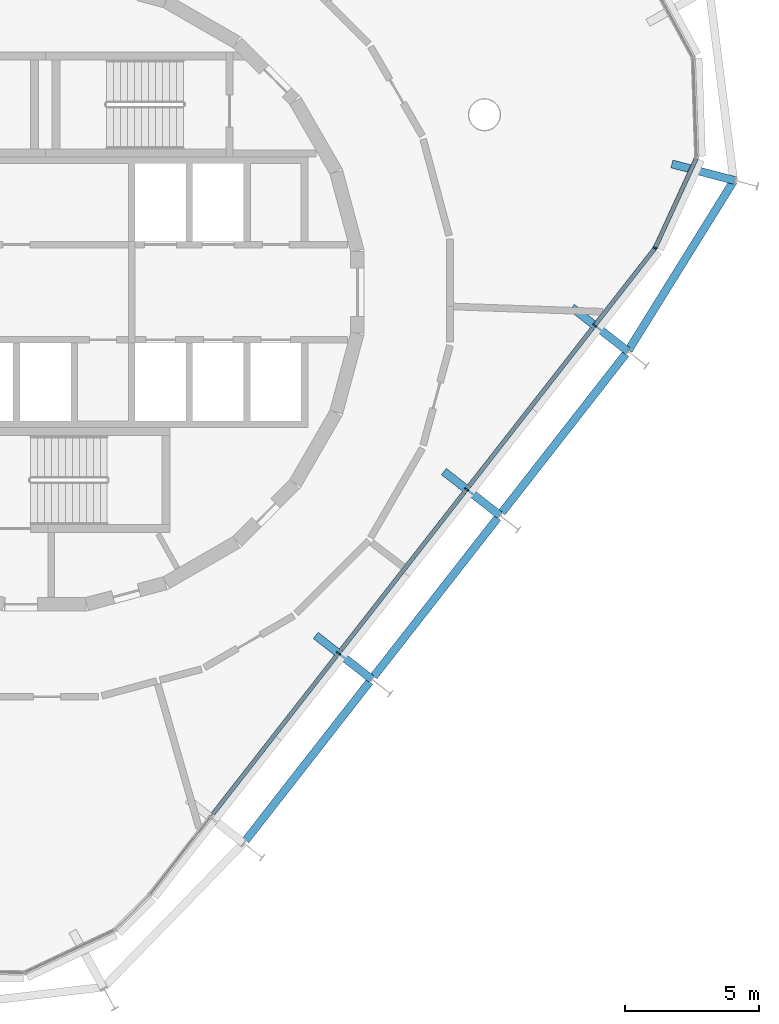
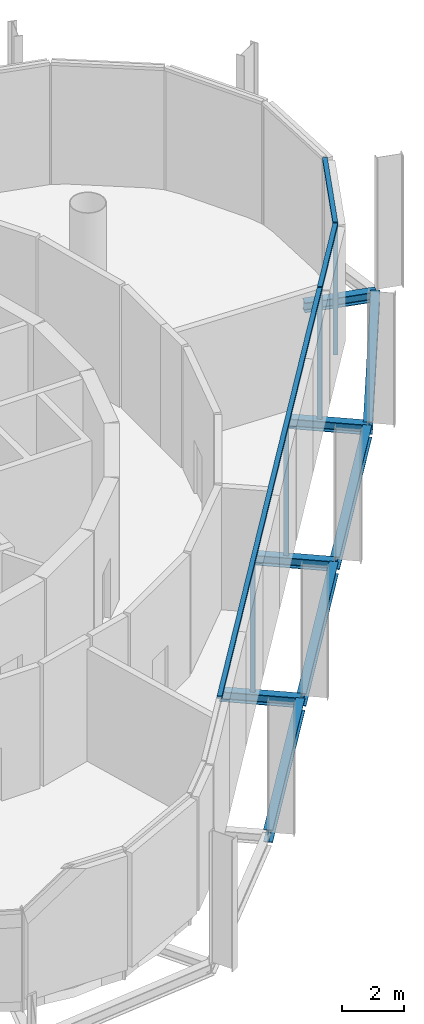
# One storey, part 4 of 12: 8 beams, 7 members, 2 elements without a shape of their own.
"""IFC4 building model written with IfcOpenShell, lengths in metres."""

from ifc_helpers import new_model, si_unit, direction, frame, origin, origin_2d, place, context, subcontext, project, spatial, rectangle, i_section, extrude, material, layer, layer_set, material_profile, profile_set, type_object, element, aggregate, save


model = new_model("IFC4")

# Units and contexts
model_context = context("Model", 3, precision=1e-05, world=origin(), true_north=direction((0.0, 1.0)))
body_context = subcontext(model_context, "Body", "Model", "MODEL_VIEW")
ifc_project = project(units=[si_unit("LENGTHUNIT", "METRE"), si_unit("AREAUNIT", "SQUARE_METRE"), si_unit("VOLUMEUNIT", "CUBIC_METRE"), si_unit("PLANEANGLEUNIT", "RADIAN"), si_unit("MASSUNIT", "GRAM", prefix="KILO")], contexts=[model_context])

# Site, building, storey
site_placement = place(None, origin())
site = spatial("IfcSite", under=ifc_project, at=site_placement, CompositionType="ELEMENT")
building_placement = place(site_placement, origin())
building = spatial("IfcBuilding", under=site, at=building_placement, Name="Spindle Arch Residences", CompositionType="ELEMENT")
storey_placement = place(building_placement, frame((0.0, 0.0, 361.0)))
storey = spatial("IfcBuildingStorey", under=building, at=storey_placement, Name="L93", CompositionType="ELEMENT", Elevation=361.0)

# Curtain wall, members
ifc_material_1 = material(Name="Aluminium bronze unitised frame with tinted glass", Category="aluminium")
ifc_layer = layer(ifc_material_1, 0.159912109375)
ifc_layer_set = layer_set([ifc_layer], Name="CW-F crown plant glazed wall")
curtain_wall_type = type_object("IfcCurtainWallType", Name="CW-F crown plant glazed wall", PredefinedType="NOTDEFINED", material=ifc_layer_set)
curtain_wall_1_placement = place(storey_placement, origin())
curtain_wall_1 = element("IfcCurtainWall", 1, at=curtain_wall_1_placement, inside=storey, type_object=curtain_wall_type, Name="CW-F L93 run 1", PredefinedType="NOTDEFINED")
ifc_material_2 = material(Name="Aluminium bronze anodised mullion", Category="aluminium")
ifc_material_profile_1 = material_profile(ifc_material_2, rectangle(XDim=0.159912109375, YDim=0.06005859375, at=origin_2d()), Name="MU 60x160")
ifc_profile_set_1 = profile_set([ifc_material_profile_1], Name="Aluminium bronze anodised mullion")
member_type_1 = type_object("IfcMemberType", Name="Bronze mullion 60x160", PredefinedType="MULLION", material=ifc_profile_set_1)
member_1_placement = place(storey_placement, frame((20.50341796875, -1.237060546875, -0.3798828125), z_axis=(0.0, 0.0, 1.0), x_axis=(-0.788010753607, 0.615661475326, 0.0)))
member_1 = element("IfcMember", 2, at=member_1_placement, type_object=member_type_1, Name="CW-F mullion 00", PredefinedType="MULLION", context=body_context, shape_type="SweptSolid", body=[
    extrude(rectangle(XDim=0.159912109375, YDim=0.06005859375, at=origin_2d()), origin(), (0.0, 0.0, 1.0), 5.079833984375),
])
member_2_placement = place(storey_placement, frame((22.7568359375, 1.647216796875, -0.3798828125), z_axis=(0.0, 0.0, 1.0), x_axis=(-0.908751129947, 0.417338452362, 0.0)))
member_2 = element("IfcMember", 3, at=member_2_placement, type_object=member_type_1, Name="CW-F mullion 01", PredefinedType="MULLION", context=body_context, shape_type="SweptSolid", body=[
    extrude(rectangle(XDim=0.159912109375, YDim=0.06005859375, at=origin_2d()), origin(), (0.0, 0.0, 1.0), 5.079833984375),
])

curtain_wall_2_placement = place(storey_placement, origin())
curtain_wall_2 = element("IfcCurtainWall", 4, at=curtain_wall_2_placement, inside=storey, type_object=curtain_wall_type, Name="CW-F L93 run 6", PredefinedType="NOTDEFINED")
member_3_placement = place(storey_placement, frame((10.94140625, -13.4755859375, -0.3798828125), z_axis=(0.0, 0.0, 1.0), x_axis=(-0.788010753607, 0.615661475326, 0.0)))
member_3 = element("IfcMember", 5, at=member_3_placement, type_object=member_type_1, Name="CW-F mullion 19", PredefinedType="MULLION", context=body_context, shape_type="SweptSolid", body=[
    extrude(rectangle(XDim=0.159912109375, YDim=0.06005859375, at=origin_2d()), origin(), (0.0, 0.0, 1.0), 5.079833984375),
])
member_4_placement = place(storey_placement, frame((15.722412109375, -7.3564453125, -0.3798828125), z_axis=(0.0, 0.0, 1.0), x_axis=(-0.788010753607, 0.615661475326, 0.0)))
member_4 = element("IfcMember", 6, at=member_4_placement, type_object=member_type_1, Name="CW-F mullion 00", PredefinedType="MULLION", context=body_context, shape_type="SweptSolid", body=[
    extrude(rectangle(XDim=0.159912109375, YDim=0.06005859375, at=origin_2d()), origin(), (0.0, 0.0, 1.0), 5.079833984375),
])

# Member
ifc_material_3 = material(Name="Aluminium bronze anodised transom", Category="aluminium")
ifc_material_profile_2 = material_profile(ifc_material_3, rectangle(XDim=0.159912109375, YDim=0.1201171875, at=origin_2d()), Name="TR 120x160")
ifc_profile_set_2 = profile_set([ifc_material_profile_2], Name="Aluminium bronze anodised transom")
member_type_2 = type_object("IfcMemberType", Name="Bronze transom 120x160", PredefinedType="USERDEFINED", material=ifc_profile_set_2)
member_5_placement = place(storey_placement, frame((20.521728515625, -1.21337890625, 4.760009765625), z_axis=(0.615647989673, 0.788021289568, 0.0), x_axis=(-0.788021289568, 0.615647989673, 0.0)))
member_5 = element("IfcMember", 7, at=member_5_placement, type_object=member_type_2, Name="CW-F transom 00", ObjectType="TRANSOM", PredefinedType="USERDEFINED", context=body_context, shape_type="SweptSolid", body=[
    extrude(rectangle(XDim=0.159912109375, YDim=0.1201171875, at=origin_2d()), origin(), (0.0, 0.0, 1.0), 3.600341796875),
])

member_6_placement = place(storey_placement, frame((22.769287109375, 1.674560546875, 4.760009765625), z_axis=(0.417326323855, 0.908756699792, 0.0), x_axis=(-0.908756699792, 0.417326323855, 0.0)))
member_6 = element("IfcMember", 8, at=member_6_placement, type_object=member_type_2, Name="CW-F transom 01", ObjectType="TRANSOM", PredefinedType="USERDEFINED", context=body_context, shape_type="SweptSolid", body=[
    extrude(rectangle(XDim=0.159912109375, YDim=0.1201171875, at=origin_2d()), origin(), (0.0, 0.0, 1.0), 3.666748046875),
])

aggregate(curtain_wall_1, [member_1, member_5, member_2, member_6])

member_7_placement = place(storey_placement, frame((6.178955078125, -19.571533203125, 4.760009765625), z_axis=(0.615655051857, 0.788015772128, 0.0), x_axis=(-0.788015772128, 0.615655051857, 0.0)))
member_7 = element("IfcMember", 9, at=member_7_placement, type_object=member_type_2, Name="CW-F transom 00", ObjectType="TRANSOM", PredefinedType="USERDEFINED", context=body_context, shape_type="SweptSolid", body=[
    extrude(rectangle(XDim=0.159912109375, YDim=0.1201171875, at=origin_2d()), origin(), (0.0, 0.0, 1.0), 23.23681640625),
])

aggregate(curtain_wall_2, [member_7, member_3, member_4])

# Beams
ifc_material_4 = material(Name="Steel S460ML, intumescent coating R 120", Category="steel")
ifc_material_profile_3 = material_profile(ifc_material_4, i_section(OverallWidth=0.300048828125, OverallDepth=0.5, WebThickness=0.014404296875, FlangeThickness=0.028076171875, FilletRadius=0.027099609375, at=origin_2d()), Name="HEB 500")
ifc_profile_set_3 = profile_set([ifc_material_profile_3], Name="Steel S460ML, intumescent coating R 120")
beam_type_1 = type_object("IfcBeamType", Name="Exoskeleton edge beam HEB 500", PredefinedType="BEAM", material=ifc_profile_set_3)
beam_1_placement = place(storey_placement, frame((17.03955078125, -8.220458984375, -0.6298828125), z_axis=(0.615652879069, 0.788017469663, 0.0), x_axis=(-0.788017469663, 0.615652879069, 0.0)))
element("IfcBeam", 10, at=beam_1_placement, inside=storey, type_object=beam_type_1, Name="Exoskeleton edge beam 1", PredefinedType="BEAM", context=body_context, shape_type="SweptSolid", body=[
    extrude(i_section(OverallWidth=0.300048828125, OverallDepth=0.5, WebThickness=0.014404296875, FlangeThickness=0.028076171875, FilletRadius=0.027099609375, at=origin_2d()), origin(), (0.0, 0.0, 1.0), 7.505615234375),
])
beam_2_placement = place(storey_placement, frame((21.760498046875, -2.17041015625, -0.6298828125), z_axis=(0.527890607505, 0.849312372751, 0.0), x_axis=(-0.849312372751, 0.527890607505, 0.0)))
element("IfcBeam", 11, at=beam_2_placement, inside=storey, type_object=beam_type_1, Name="Exoskeleton edge beam 2", PredefinedType="BEAM", context=body_context, shape_type="SweptSolid", body=[
    extrude(i_section(OverallWidth=0.300048828125, OverallDepth=0.5, WebThickness=0.014404296875, FlangeThickness=0.028076171875, FilletRadius=0.027099609375, at=origin_2d()), origin(), (0.0, 0.0, 1.0), 7.437744140625),
])
for number, where, z_axis, x_axis, name in (
    (12, (7.4775390625, -20.459228515625, -0.6298828125), (0.615673077274, 0.788001689034, 0.0), (-0.788001689034, 0.615673077274, 0.0), "Exoskeleton edge beam 19"),
    (13, (12.258544921875, -14.33984375, -0.6298828125), (0.615673077274, 0.788001689034, 0.0), (-0.788001689034, 0.615673077274, 0.0), "Exoskeleton edge beam 20"),
):
    element("IfcBeam", number, at=place(storey_placement, frame(where, z_axis=z_axis, x_axis=x_axis)), inside=storey, type_object=beam_type_1, Name=name, PredefinedType="BEAM", context=body_context, shape_type="SweptSolid", body=[
        extrude(i_section(OverallWidth=0.300048828125, OverallDepth=0.5, WebThickness=0.014404296875, FlangeThickness=0.028076171875, FilletRadius=0.027099609375, at=origin_2d()), origin(), (0.0, 0.0, 1.0), 7.505859375),
    ])
ifc_material_5 = material(Name="Steel S460ML, intumescent coating R 120", Category="steel")
ifc_material_profile_4 = material_profile(ifc_material_5, i_section(OverallWidth=0.300048828125, OverallDepth=0.389892578125, WebThickness=0.010986328125, FlangeThickness=0.01904296875, FilletRadius=0.027099609375, at=origin_2d()), Name="HEA 400")
ifc_profile_set_4 = profile_set([ifc_material_profile_4], Name="Steel S460ML, intumescent coating R 120")
beam_type_2 = type_object("IfcBeamType", Name="Floor outrigger HEA 400", PredefinedType="BEAM", material=ifc_profile_set_4)
beam_3_placement = place(storey_placement, frame((16.959716796875, -8.322998046875, -0.574951171875), z_axis=(-0.788015993799, 0.615654768127, 0.0), x_axis=(-0.615654768127, -0.788015993799, 0.0)))
element("IfcBeam", 14, at=beam_3_placement, inside=storey, type_object=beam_type_2, Name="Floor outrigger 1", PredefinedType="BEAM", context=body_context, shape_type="SweptSolid", body=[
    extrude(i_section(OverallWidth=0.300048828125, OverallDepth=0.389892578125, WebThickness=0.010986328125, FlangeThickness=0.01904296875, FilletRadius=0.027099609375, at=origin_2d()), origin(), (0.0, 0.0, 1.0), 2.650146484375),
])
beam_4_placement = place(storey_placement, frame((21.740478515625, -2.20361328125, -0.574951171875), z_axis=(-0.787981072726, 0.615699463233, 0.0), x_axis=(-0.615699463233, -0.787981072726, 0.0)))
element("IfcBeam", 15, at=beam_4_placement, inside=storey, type_object=beam_type_2, Name="Floor outrigger 2", PredefinedType="BEAM", context=body_context, shape_type="SweptSolid", body=[
    extrude(i_section(OverallWidth=0.300048828125, OverallDepth=0.389892578125, WebThickness=0.010986328125, FlangeThickness=0.01904296875, FilletRadius=0.027099609375, at=origin_2d()), origin(), (0.0, 0.0, 1.0), 2.64990234375),
])
beam_5_placement = place(storey_placement, frame((25.723388671875, 4.17138671875, -0.574951171875), z_axis=(-0.967207729223, 0.253986630616, 0.0), x_axis=(-0.253986630616, -0.967207729223, 0.0)))
element("IfcBeam", 16, at=beam_5_placement, inside=storey, type_object=beam_type_2, Name="Floor outrigger 3", PredefinedType="BEAM", context=body_context, shape_type="SweptSolid", body=[
    extrude(i_section(OverallWidth=0.300048828125, OverallDepth=0.389892578125, WebThickness=0.010986328125, FlangeThickness=0.01904296875, FilletRadius=0.027099609375, at=origin_2d()), origin(), (0.0, 0.0, 1.0), 2.41943359375),
])
beam_6_placement = place(storey_placement, frame((12.1787109375, -14.4423828125, -0.574951171875), z_axis=(-0.788015993799, 0.615654768127, 0.0), x_axis=(-0.615654768127, -0.788015993799, 0.0)))
element("IfcBeam", 17, at=beam_6_placement, inside=storey, type_object=beam_type_2, Name="Floor outrigger 20", PredefinedType="BEAM", context=body_context, shape_type="SweptSolid", body=[
    extrude(i_section(OverallWidth=0.300048828125, OverallDepth=0.389892578125, WebThickness=0.010986328125, FlangeThickness=0.01904296875, FilletRadius=0.027099609375, at=origin_2d()), origin(), (0.0, 0.0, 1.0), 2.650146484375),
])

save(model, "model.ifc")
